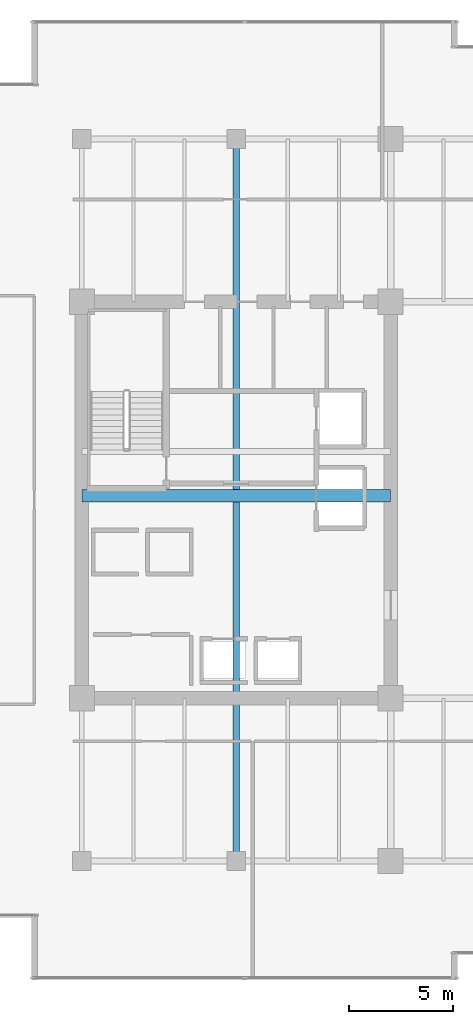
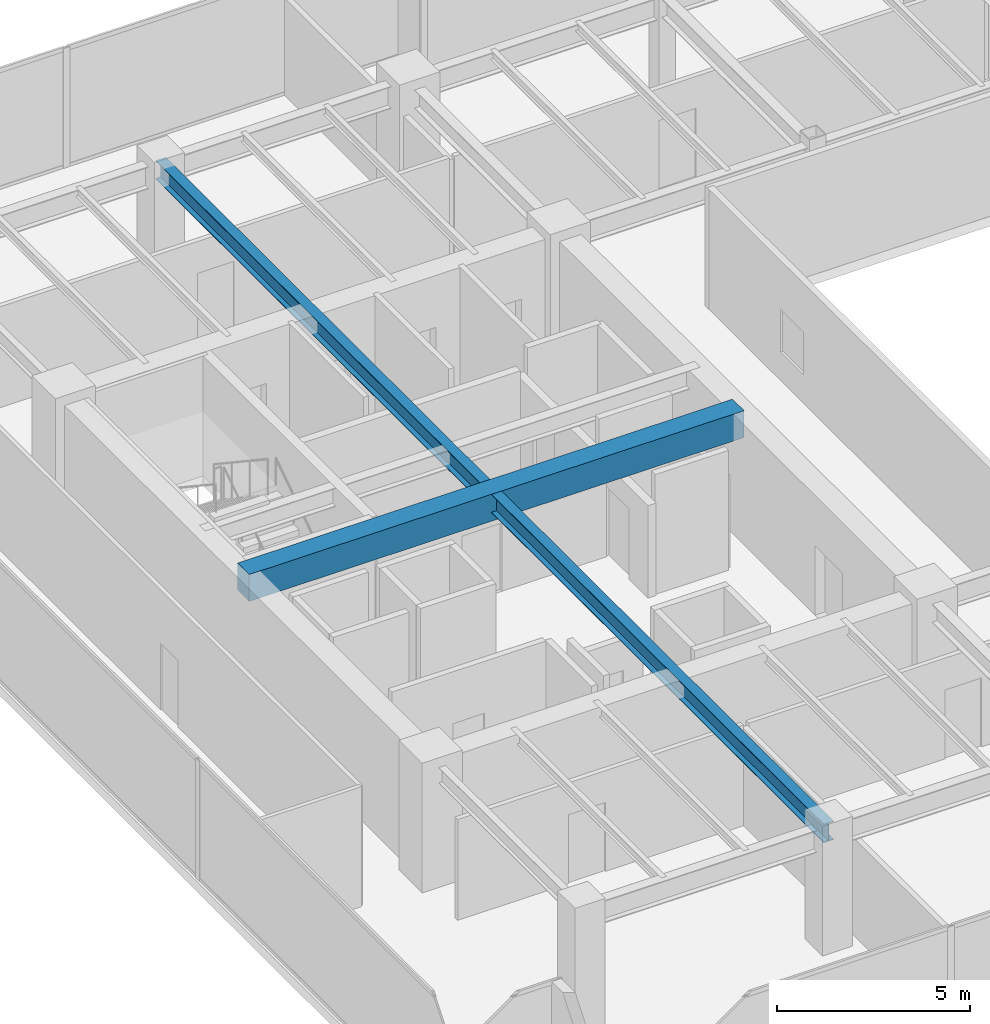
# One storey, part 7 of 30: 2 beams.
"""IFC4 building model written with IfcOpenShell, lengths in metres."""

from ifc_helpers import new_model, si_unit, direction, frame, origin, origin_2d, place, context, subcontext, project, spatial, rectangle, i_section, extrude, source, transform, mapped, material, material_profile, profile_set, type_object, type_shapes, element, save


model = new_model("IFC4")

# Units and contexts
model_context = context("Model", 3, precision=1e-05, world=origin(), true_north=direction((0.0, 1.0)))
body_context = subcontext(model_context, "Body", "Model", "MODEL_VIEW")
ifc_project = project(units=[si_unit("LENGTHUNIT", "METRE"), si_unit("AREAUNIT", "SQUARE_METRE"), si_unit("VOLUMEUNIT", "CUBIC_METRE"), si_unit("PLANEANGLEUNIT", "RADIAN"), si_unit("MASSUNIT", "GRAM", prefix="KILO")], contexts=[model_context])

# Site, building, storey
site_placement = place(None, origin())
site = spatial("IfcSite", under=ifc_project, at=site_placement, CompositionType="ELEMENT")
building_placement = place(site_placement, origin())
building = spatial("IfcBuilding", under=site, at=building_placement, Name="Haelvirn Gate Laboratories", CompositionType="ELEMENT")
storey_placement = place(building_placement, frame((0.0, 0.0, 187.10009765625)))
storey = spatial("IfcBuildingStorey", under=building, at=storey_placement, Name="L45", CompositionType="ELEMENT", Elevation=187.10009765625)

# Beams
ifc_material_1 = material(Name="Steel SM355", Category="steel")
ifc_material_profile_1 = material_profile(ifc_material_1, i_section(OverallWidth=0.300048828125, OverallDepth=0.587890625, WebThickness=0.011962890625, FlangeThickness=0.02001953125, at=origin_2d()), Name="H-588x300x12x20")
ifc_profile_set_1 = profile_set([ifc_material_profile_1], Name="Steel SM355")
beam_type_1 = type_object("IfcBeamType", Name="BM-G-588", PredefinedType="BEAM", material=ifc_profile_set_1)
shared_shape_1 = source(origin(), body_context, "Body", "SweptSolid", [
    extrude(i_section(OverallWidth=0.300048828125, OverallDepth=0.587890625, WebThickness=0.011962890625, FlangeThickness=0.02001953125, at=origin_2d()), origin(), (0.0, 0.0, 1.0), 34.60009765625),
])
type_shapes(beam_type_1, [shared_shape_1])
beam_1_placement = place(storey_placement, frame((14.800048828125, 7.0, 3.495849609375), z_axis=(0.0, 1.0, 0.0), x_axis=(-1.0, 0.0, 0.0)))
element("IfcBeam", 1, at=beam_1_placement, inside=storey, type_object=beam_type_1, Name="L45 Frame Girder X14.8 (7.0-41.6)", PredefinedType="BEAM", context=body_context, shape_type="MappedRepresentation", body=[
    mapped(shared_shape_1, transform((0.0, 0.0, 0.0), scale=1.0)),
])
ifc_material_2 = material(Name="Concrete C50/60", Category="concrete")
ifc_material_profile_2 = material_profile(ifc_material_2, rectangle(XDim=0.60009765625, YDim=0.85009765625, at=origin_2d()), Name="RCB-600x850")
ifc_profile_set_2 = profile_set([ifc_material_profile_2], Name="Concrete C50/60")
beam_type_2 = type_object("IfcBeamType", Name="BM-RCB-850", PredefinedType="LINTEL", material=ifc_profile_set_2)
shared_shape_2 = source(origin(), body_context, "Body", "SweptSolid", [
    extrude(rectangle(XDim=0.60009765625, YDim=0.85009765625, at=origin_2d()), origin(), (0.0, 0.0, 1.0), 14.800048828125),
])
type_shapes(beam_type_2, [shared_shape_2])
beam_2_placement = place(storey_placement, frame((7.39990234375, 24.5, 3.364990234375), z_axis=(1.0, 0.0, 0.0), x_axis=(0.0, 1.0, 0.0)))
element("IfcBeam", 2, at=beam_2_placement, inside=storey, type_object=beam_type_2, Name="L45 West Core Coupling Beam", PredefinedType="LINTEL", context=body_context, shape_type="MappedRepresentation", body=[
    mapped(shared_shape_2, transform((0.0, 0.0, 0.0), scale=1.0)),
])

save(model, "model.ifc")
